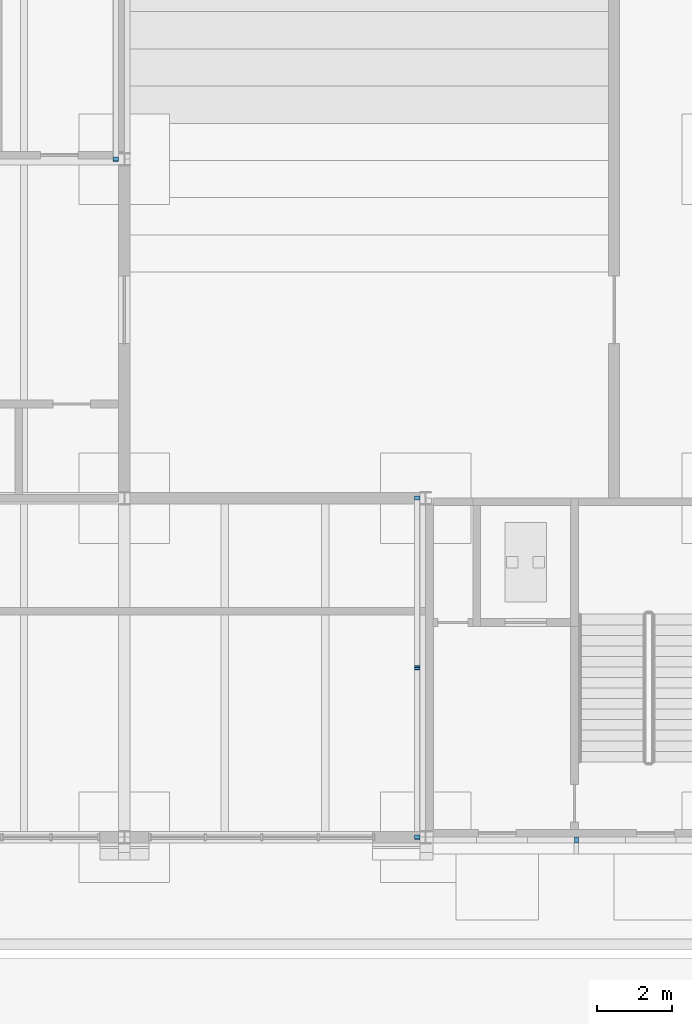
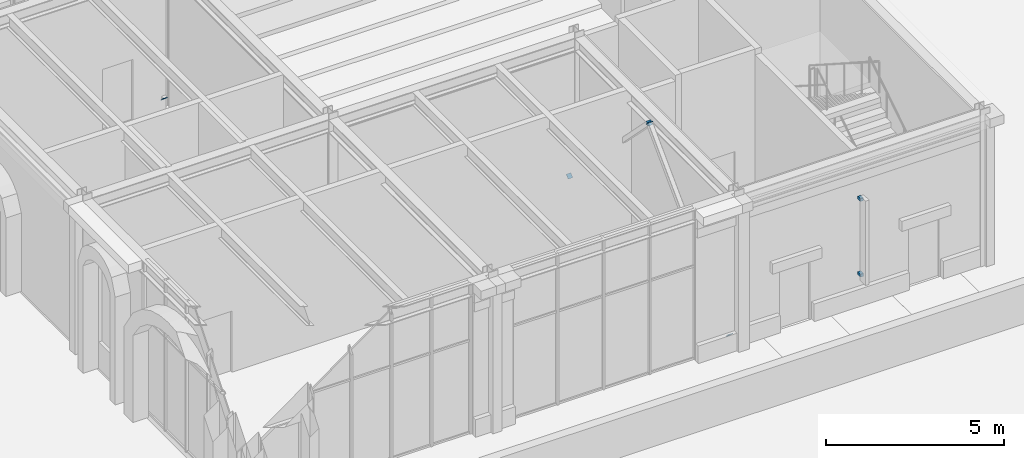
# One storey, part 89 of 126: 7 discrete accessories.
"""IFC4 building model written with IfcOpenShell, lengths in metres."""

from ifc_helpers import new_model, si_unit, direction, frame, origin, origin_2d, place, context, subcontext, project, spatial, rectangle, extrude, material, material_profile, profile_set, type_object, element, save


model = new_model("IFC4")

# Units and contexts
model_context = context("Model", 3, precision=1e-05, world=origin(), true_north=direction((0.0, 1.0)))
body_context = subcontext(model_context, "Body", "Model", "MODEL_VIEW")
ifc_project = project(units=[si_unit("LENGTHUNIT", "METRE"), si_unit("AREAUNIT", "SQUARE_METRE"), si_unit("VOLUMEUNIT", "CUBIC_METRE"), si_unit("PLANEANGLEUNIT", "RADIAN"), si_unit("MASSUNIT", "GRAM", prefix="KILO")], contexts=[model_context])

# Site, building, storey
site_placement = place(None, origin())
site = spatial("IfcSite", under=ifc_project, at=site_placement, CompositionType="ELEMENT")
building_placement = place(site_placement, origin())
building = spatial("IfcBuilding", under=site, at=building_placement, Name="Kallimachos Central Library", CompositionType="ELEMENT")
storey_placement = place(building_placement, origin())
storey = spatial("IfcBuildingStorey", under=building, at=storey_placement, Name="L00", CompositionType="ELEMENT", Elevation=0.0)

# Discrete accessories
ifc_material_1 = material(Name="Steel S355J2", Category="steel")
ifc_material_profile = material_profile(ifc_material_1, rectangle(XDim=0.14990234375, YDim=0.14990234375, at=origin_2d()), Name="End cap plate 10, 150x150")
ifc_profile_set = profile_set([ifc_material_profile], Name="Steel S355J2")
discrete_accessory_type_1 = type_object("IfcDiscreteAccessoryType", Name="End cap plate 10, 150x150", PredefinedType="BRACKET", material=ifc_profile_set)
for number, where, z_axis, x_axis, name in (
    (1, (21.77490234375, 13.5, 4.949951171875), (0.0, 0.707106781187, 0.707106781187), (-1.0, 0.0, 0.0), "End cap plate"),
    (2, (21.77490234375, 13.5, 4.949951171875), (0.0, -0.707106781187, 0.707106781187), (1.0, 0.0, 0.0), "End cap plate"),
    (3, (13.77490234375, 26.992919921875, 0.392822265625), (0.0, 0.707106781187, 0.707106781187), (-1.0, 0.0, 0.0), "End cap plate"),
    (4, (21.77490234375, 8.992919921875, 0.392822265625), (0.0, 0.707106781187, 0.707106781187), (-1.0, 0.0, 0.0), "End cap plate"),
    (5, (21.77490234375, 18.007080078125, 0.392822265625), (0.0, -0.707106781187, 0.707106781187), (1.0, 0.0, 0.0), "End cap plate"),
):
    element("IfcDiscreteAccessory", number, at=place(storey_placement, frame(where, z_axis=z_axis, x_axis=x_axis)), inside=storey, type_object=discrete_accessory_type_1, Name=name, PredefinedType="BRACKET", context=body_context, shape_type="SweptSolid", body=[
        extrude(rectangle(XDim=0.14990234375, YDim=0.14990234375, at=origin_2d()), origin(), (0.0, 0.0, 1.0), 0.010009765625),
    ])
ifc_material_2 = material(Name="Stainless steel", Category="steel")
discrete_accessory_type_2 = type_object("IfcDiscreteAccessoryType", Name="Fin bracket", PredefinedType="BRACKET", material=ifc_material_2)
for number, where, z_axis, x_axis, name in (
    (6, (26.0, 8.925048828125, 1.0), (0.0, 0.0, 1.0), (1.0, 0.0, 0.0), "Fin bracket -L00-019"),
    (7, (26.0, 8.925048828125, 3.599853515625), (0.0, 0.0, 1.0), (1.0, 0.0, 0.0), "Fin bracket -L00-019"),
):
    element("IfcDiscreteAccessory", number, at=place(storey_placement, frame(where, z_axis=z_axis, x_axis=x_axis)), inside=storey, type_object=discrete_accessory_type_2, Name=name, PredefinedType="BRACKET", context=body_context, shape_type="SweptSolid", body=[
        extrude(rectangle(XDim=0.10009765625, YDim=0.14990234375, at=origin_2d()), origin(), (0.0, 0.0, 1.0), 0.10009765625),
    ])

save(model, "model.ifc")
